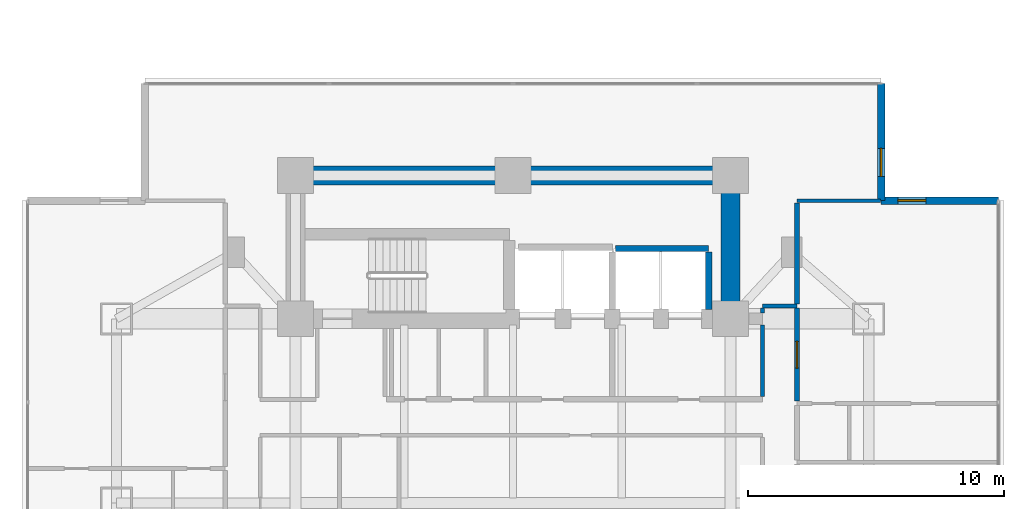
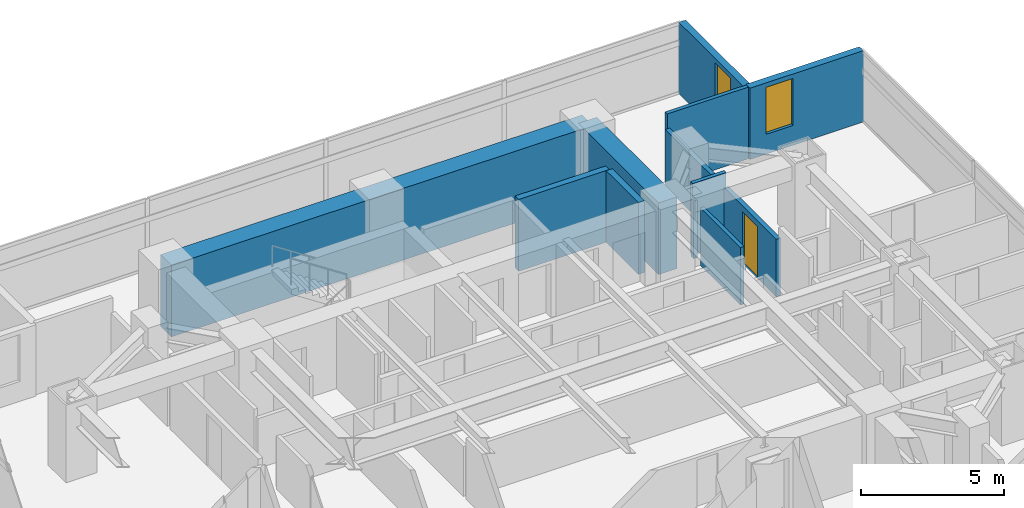
# One storey, part 20 of 26: 12 walls, 2 windows, 1 door, 3 openings.
"""IFC4 building model written with IfcOpenShell, lengths in metres."""

from ifc_helpers import new_model, si_unit, direction, frame, frame_2d, origin, place, context, subcontext, project, spatial, rectangle, extrude, material, layer, layer_set, type_object, element, fill, save


model = new_model("IFC4")

# Units and contexts
model_context = context("Model", 3, precision=1e-05, world=origin(), true_north=direction((0.0, 1.0)))
body_context = subcontext(model_context, "Body", "Model", "MODEL_VIEW")
ifc_project = project(units=[si_unit("LENGTHUNIT", "METRE"), si_unit("AREAUNIT", "SQUARE_METRE"), si_unit("VOLUMEUNIT", "CUBIC_METRE"), si_unit("PLANEANGLEUNIT", "RADIAN"), si_unit("MASSUNIT", "GRAM", prefix="KILO")], contexts=[model_context])

# Site, building, storey
site_placement = place(None, origin())
site = spatial("IfcSite", under=ifc_project, at=site_placement, CompositionType="ELEMENT")
building_placement = place(site_placement, origin())
building = spatial("IfcBuilding", under=site, at=building_placement, Name="Mirazonda Arch Towers", CompositionType="ELEMENT")
storey_placement = place(building_placement, frame((0.0, 0.0, 38.89990234375)))
storey = spatial("IfcBuildingStorey", under=building, at=storey_placement, Name="L10", CompositionType="ELEMENT", Elevation=38.89990234375)

# Walls
ifc_material_1 = material(Name="Concrete C60/75", Category="concrete")
ifc_layer_1 = layer(ifc_material_1, 0.75, Name="WALL-CORE-750")
ifc_layer_set_1 = layer_set([ifc_layer_1], Name="Concrete C60/75")
wall_type_1 = type_object("IfcWallType", Name="WALL-CORE-750", PredefinedType="SHEAR", material=ifc_layer_set_1)
wall_1_placement = place(storey_placement, frame((68.0, 40.800048828125, 0.0), z_axis=(0.0, 0.0, 1.0), x_axis=(1.0, 0.0, 0.0)))
element("IfcWall", 1, at=wall_1_placement, inside=storey, type_object=wall_type_1, Name="L10 T2N-N Core Shear Wall", PredefinedType="SHEAR", context=body_context, shape_type="SweptSolid", body=[
    extrude(rectangle(XDim=17.0, YDim=0.75, at=frame_2d((8.5, 0.0))), origin(), (0.0, 0.0, 1.0), 3.06005859375),
])
wall_2_placement = place(storey_placement, frame((85.0, 35.199951171875, 0.0), z_axis=(0.0, 0.0, 1.0), x_axis=(0.0, 1.0, 0.0)))
element("IfcWall", 2, at=wall_2_placement, inside=storey, type_object=wall_type_1, Name="L10 T2N-E Core Shear Wall", PredefinedType="SHEAR", context=body_context, shape_type="SweptSolid", body=[
    extrude(rectangle(XDim=5.60009765625, YDim=0.75, at=frame_2d((2.800048828125, 0.0))), origin(), (0.0, 0.0, 1.0), 3.06005859375),
])

# Wall, opening, window
ifc_material_2 = material(Name="Precast Concrete C40/50", Category="concrete")
ifc_layer_2 = layer(ifc_material_2, 0.280029296875, Name="WALL-EXT-WALL-280")
ifc_layer_set_2 = layer_set([ifc_layer_2], Name="Precast Concrete C40/50")
wall_type_2 = type_object("IfcWallType", Name="WALL-EXT-WALL-280", PredefinedType="SOLIDWALL", material=ifc_layer_set_2)
wall_3_placement = place(storey_placement, frame((90.889892578125, 39.81640625, 0.0), z_axis=(0.0, 0.0, 1.0), x_axis=(0.0, 1.0, 0.0)))
wall_3 = element("IfcWall", 3, at=wall_3_placement, inside=storey, type_object=wall_type_2, Name="L10 T2 Notched NE Corner Wall WL-L10-T2-CNE", PredefinedType="SOLIDWALL", context=body_context, shape_type="SweptSolid", body=[
    extrude(rectangle(XDim=4.580078125, YDim=0.280029296875, at=frame_2d((2.2900390625, 0.0))), origin(), (0.0, 0.0, 1.0), 3.0400390625),
])
opening_1_placement = place(wall_3_placement, frame((0.949951171875, 0.0, 0.85009765625)))
opening_1 = element("IfcOpeningElement", 4, at=opening_1_placement, cuts=wall_3, Name="Opening WN-108", PredefinedType="OPENING", context=body_context, shape_type="SweptSolid", body=[
    extrude(rectangle(XDim=1.10009765625, YDim=2.0, at=frame_2d((0.550048828125, 1.0))), frame((0.0, 0.14990234375, 0.0), z_axis=(0.0, -1.0, 0.0), x_axis=(1.0, 0.0, 0.0)), (0.0, 0.0, 1.0), 0.300048828125),
])
ifc_material_3 = material(Name="Insulated Low-E Solar Glass", Category="glass")
window_type = type_object("IfcWindowType", Name="WIN-NOTCH-1100x2000", PartitioningType="SINGLE_PANEL", PredefinedType="WINDOW", material=ifc_material_3)
window_1_placement = place(opening_1_placement, origin())
window_1 = element("IfcWindow", 5, at=window_1_placement, inside=storey, type_object=window_type, Name="L10 Punched Facade Window WN-L10-T2-CNE", OverallHeight=2.0, OverallWidth=1.10009765625, PartitioningType="SINGLE_PANEL", PredefinedType="WINDOW", context=body_context, shape_type="SweptSolid", body=[
    extrude(rectangle(XDim=1.10009765625, YDim=2.0, at=frame_2d((0.550048828125, 1.0))), frame((0.0, 0.030029296875, 0.0), z_axis=(0.0, -1.0, 0.0), x_axis=(1.0, 0.0, 0.0)), (0.0, 0.0, 1.0), 0.06005859375),
])
fill(opening_1, window_1)

wall_4_placement = place(storey_placement, frame((95.469970703125, 39.81640625, 0.0), z_axis=(0.0, 0.0, 1.0), x_axis=(-1.0, 0.0, 0.0)))
wall_4 = element("IfcWall", 6, at=wall_4_placement, inside=storey, type_object=wall_type_2, Name="L10 T2 Corner Notch Return Wall WL-L10-T2-CNE2", PredefinedType="SOLIDWALL", context=body_context, shape_type="SweptSolid", body=[
    extrude(rectangle(XDim=4.580078125, YDim=0.280029296875, at=frame_2d((2.2900390625, 0.0))), origin(), (0.0, 0.0, 1.0), 3.0400390625),
])
opening_2_placement = place(wall_4_placement, frame((2.830078125, 0.0, 0.85009765625)))
opening_2 = element("IfcOpeningElement", 7, at=opening_2_placement, cuts=wall_4, Name="Opening WN-108", PredefinedType="OPENING", context=body_context, shape_type="SweptSolid", body=[
    extrude(rectangle(XDim=1.10009765625, YDim=2.0, at=frame_2d((0.550048828125, 1.0))), frame((0.0, 0.14990234375, 0.0), z_axis=(0.0, -1.0, 0.0), x_axis=(1.0, 0.0, 0.0)), (0.0, 0.0, 1.0), 0.300048828125),
])
window_2_placement = place(opening_2_placement, origin())
window_2 = element("IfcWindow", 8, at=window_2_placement, inside=storey, type_object=window_type, Name="L10 Punched Facade Window WN-L10-T2-CNE2", OverallHeight=2.0, OverallWidth=1.10009765625, PartitioningType="SINGLE_PANEL", PredefinedType="WINDOW", context=body_context, shape_type="SweptSolid", body=[
    extrude(rectangle(XDim=1.10009765625, YDim=2.0, at=frame_2d((0.550048828125, 1.0))), frame((0.0, 0.030029296875, 0.0), z_axis=(0.0, -1.0, 0.0), x_axis=(1.0, 0.0, 0.0)), (0.0, 0.0, 1.0), 0.06005859375),
])
fill(opening_2, window_2)

# Walls
ifc_material_4 = material(Name="Fire-Rated Gypsum Stud Partition")
ifc_layer_3 = layer(ifc_material_4, 0.14990234375, Name="WALL-PART-CORR-150")
ifc_layer_set_3 = layer_set([ifc_layer_3], Name="Fire-Rated Gypsum Stud Partition")
wall_type_3 = type_object("IfcWallType", Name="WALL-PART-CORR-150", PredefinedType="PARTITIONING", material=ifc_layer_set_3)
wall_5_placement = place(storey_placement, frame((86.25, 35.699951171875, 0.0), z_axis=(0.0, 0.0, 1.0), x_axis=(1.0, 0.0, 0.0)))
element("IfcWall", 9, at=wall_5_placement, inside=storey, type_object=wall_type_3, Name="L10 Interior Partition 053", PredefinedType="PARTITIONING", context=body_context, shape_type="SweptSolid", body=[
    extrude(rectangle(XDim=1.35009765625, YDim=0.14990234375, at=frame_2d((0.675048828125, 0.0))), origin(), (0.0, 0.0, 1.0), 3.06005859375),
])
wall_6_placement = place(storey_placement, frame((87.60009765625, 39.81689453125, 0.0), z_axis=(0.0, 0.0, 1.0), x_axis=(1.0, 0.0, 0.0)))
element("IfcWall", 10, at=wall_6_placement, inside=storey, type_object=wall_type_3, Name="L10 Interior Partition 058", PredefinedType="PARTITIONING", context=body_context, shape_type="SweptSolid", body=[
    extrude(rectangle(XDim=3.27001953125, YDim=0.14990234375, at=frame_2d((1.635009765625, 0.0))), origin(), (0.0, 0.0, 1.0), 3.06005859375),
])
wall_7_placement = place(storey_placement, frame((86.25, 32.169921875, 0.0), z_axis=(0.0, 0.0, 1.0), x_axis=(0.0, 1.0, 0.0)))
element("IfcWall", 11, at=wall_7_placement, inside=storey, type_object=wall_type_3, Name="L10 Interior Partition 153", PredefinedType="PARTITIONING", context=body_context, shape_type="SweptSolid", body=[
    extrude(rectangle(XDim=2.795166015625, YDim=0.14990234375, at=frame_2d((1.3974609375, 0.0))), origin(), (0.0, 0.0, 1.0), 2.4521484375),
])
wall_8_placement = place(storey_placement, frame((86.25, 35.43505859375, 0.0), z_axis=(0.0, 0.0, 1.0), x_axis=(0.0, 1.0, 0.0)))
element("IfcWall", 12, at=wall_8_placement, inside=storey, type_object=wall_type_3, Name="L10 Interior Partition 154", PredefinedType="PARTITIONING", context=body_context, shape_type="SweptSolid", body=[
    extrude(rectangle(XDim=0.179931640625, YDim=0.14990234375, at=frame_2d((0.08984375, 0.0))), origin(), (0.0, 0.0, 1.0), 2.4521484375),
])

# Wall, opening, door
ifc_material_5 = material(Name="Fire-Rated Gypsum Twin-Stud Assembly")
ifc_layer_4 = layer(ifc_material_5, 0.179931640625, Name="WALL-PART-DEMISE-180")
ifc_layer_set_4 = layer_set([ifc_layer_4], Name="Fire-Rated Gypsum Twin-Stud Assembly")
wall_type_4 = type_object("IfcWallType", Name="WALL-PART-DEMISE-180", PredefinedType="PARTITIONING", material=ifc_layer_set_4)
wall_9_placement = place(storey_placement, frame((87.60009765625, 31.98095703125, 0.0), z_axis=(0.0, 0.0, 1.0), x_axis=(0.0, 1.0, 0.0)))
wall_9 = element("IfcWall", 13, at=wall_9_placement, inside=storey, type_object=wall_type_4, Name="L10 Interior Partition 161", PredefinedType="PARTITIONING", context=body_context, shape_type="SweptSolid", body=[
    extrude(rectangle(XDim=3.634033203125, YDim=0.179931640625, at=frame_2d((1.81689453125, 0.0))), origin(), (0.0, 0.0, 1.0), 2.4521484375),
])
opening_3_placement = place(wall_9_placement, frame((1.2919921875, 0.0, 0.0)))
opening_3 = element("IfcOpeningElement", 14, at=opening_3_placement, cuts=wall_9, Name="Opening DR-121", PredefinedType="OPENING", context=body_context, shape_type="SweptSolid", body=[
    extrude(rectangle(XDim=1.050048828125, YDim=2.199951171875, at=frame_2d((0.52490234375, 1.10009765625))), frame((0.0, 0.099853515625, 0.0), z_axis=(0.0, -1.0, 0.0), x_axis=(1.0, 0.0, 0.0)), (0.0, 0.0, 1.0), 0.199951171875),
])
ifc_material_6 = material(Name="Architectural Brushed Steel S355", Category="steel")
door_type = type_object("IfcDoorType", Name="DOOR-SUITE-FD60-1050", OperationType="NOTDEFINED", PredefinedType="DOOR", material=ifc_material_6)
door_placement = place(opening_3_placement, origin())
door = element("IfcDoor", 15, at=door_placement, inside=storey, type_object=door_type, Name="L10 King Hotel Guestroom 3 Door", OperationType="SINGLE_SWING_LEFT", OverallHeight=2.199951171875, OverallWidth=1.050048828125, PredefinedType="DOOR", context=body_context, shape_type="SweptSolid", body=[
    extrude(rectangle(XDim=1.050048828125, YDim=2.199951171875, at=frame_2d((0.52490234375, 1.10009765625))), frame((0.0, 0.02490234375, 0.0), z_axis=(0.0, -1.0, 0.0), x_axis=(1.0, 0.0, 0.0)), (0.0, 0.0, 1.0), 0.050048828125),
])
fill(opening_3, door)

# Walls
wall_10_placement = place(storey_placement, frame((87.60009765625, 35.784912109375, 0.0), z_axis=(0.0, 0.0, 1.0), x_axis=(0.0, 1.0, 0.0)))
element("IfcWall", 16, at=wall_10_placement, inside=storey, type_object=wall_type_4, Name="L10 Interior Partition 162", PredefinedType="PARTITIONING", context=body_context, shape_type="SweptSolid", body=[
    extrude(rectangle(XDim=3.947021484375, YDim=0.179931640625, at=frame_2d((1.9736328125, 0.0))), origin(), (0.0, 0.0, 1.0), 2.43603515625),
])
ifc_material_7 = material(Name="Concrete C40/50", Category="concrete")
ifc_layer_5 = layer(ifc_material_7, 0.25, Name="WALL-SHAFT-250")
ifc_layer_set_5 = layer_set([ifc_layer_5], Name="Concrete C40/50")
wall_type_5 = type_object("IfcWallType", Name="WALL-SHAFT-250", PredefinedType="SOLIDWALL", material=ifc_layer_set_5)
wall_11_placement = place(storey_placement, frame((80.5, 37.949951171875, 0.0), z_axis=(0.0, 0.0, 1.0), x_axis=(1.0, 0.0, 0.0)))
element("IfcWall", 17, at=wall_11_placement, inside=storey, type_object=wall_type_5, Name="L10 Interior Partition 054", PredefinedType="SOLIDWALL", context=body_context, shape_type="SweptSolid", body=[
    extrude(rectangle(XDim=3.64990234375, YDim=0.25, at=frame_2d((1.824951171875, 0.0))), origin(), (0.0, 0.0, 1.0), 3.06005859375),
])
wall_12_placement = place(storey_placement, frame((84.14990234375, 35.570068359375, 0.0), z_axis=(0.0, 0.0, 1.0), x_axis=(0.0, 1.0, 0.0)))
element("IfcWall", 18, at=wall_12_placement, inside=storey, type_object=wall_type_5, Name="L10 Interior Partition 149", PredefinedType="SOLIDWALL", context=body_context, shape_type="SweptSolid", body=[
    extrude(rectangle(XDim=2.244873046875, YDim=0.25, at=frame_2d((1.12255859375, 0.0))), origin(), (0.0, 0.0, 1.0), 3.06005859375),
])

save(model, "model.ifc")
